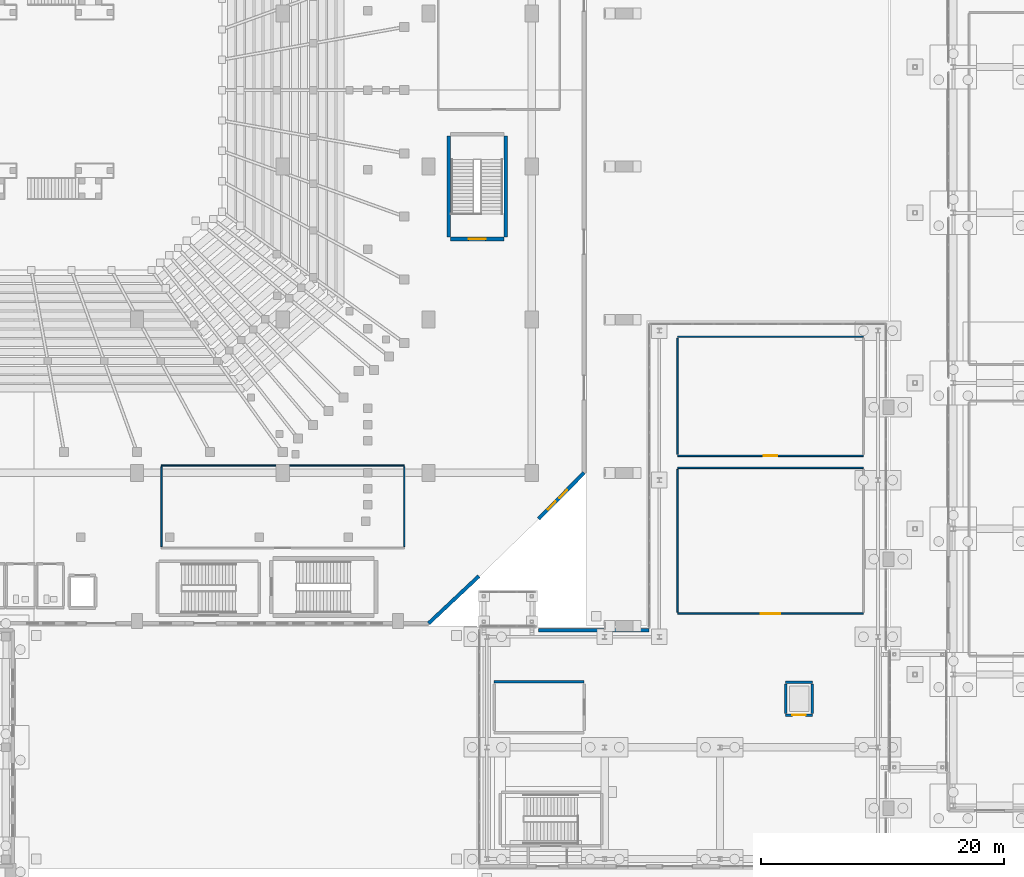
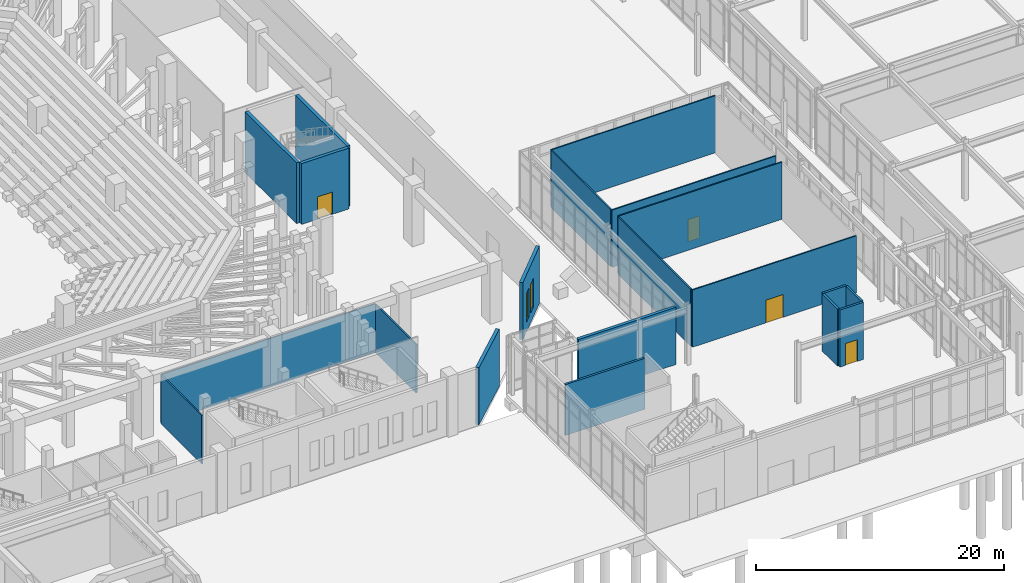
# One storey, part 109 of 143: 20 walls, 4 doors, 2 windows, 6 openings.
"""IFC4 building model written with IfcOpenShell, lengths in metres."""

import ifcopenshell
import ifcopenshell.guid

model = None  # the IFC model being written
_history = None  # IfcOwnerHistory: only IFC2X3 demands one
_inside = {}  # id of a spatial element -> (the spatial element, [elements in it])
_under = {}  # id of a project, library or spatial element -> (it, [spatial elements below it])
_declared = {}  # id of a project -> (the project, [libraries it declares])
_typed = {}  # id of a type object -> (the type object, [elements of that type])
_made_of = {}  # id of a material, layer set ... -> (it, [elements and type objects made of it])


def new_model(schema):
    """Start an empty IFC model of exactly this schema.

    Asked for "IFC4X3", IfcOpenShell would pick the latest addendum, in which some entities
    have other attributes; the version numbers below select the first issue.
    IFC2X3 requires an IfcOwnerHistory on every rooted entity: one is made here for all.
    """
    global model, _history
    if schema == "IFC4X3":
        model = ifcopenshell.file(schema_version=(4, 3, 0, 0))
    else:
        model = ifcopenshell.file(schema=schema)
    _inside.clear()
    _under.clear()
    _declared.clear()
    _typed.clear()
    _made_of.clear()
    _history = None
    if model.schema == "IFC2X3":
        org = make("IfcOrganization", Name="unknown")
        user = make(
            "IfcPersonAndOrganization",
            ThePerson=make("IfcPerson", FamilyName="unknown"),
            TheOrganization=org,
        )
        app = make(
            "IfcApplication",
            ApplicationDeveloper=org,
            Version="unknown",
            ApplicationFullName="unknown",
            ApplicationIdentifier="unknown",
        )
        _history = make(
            "IfcOwnerHistory",
            OwningUser=user,
            OwningApplication=app,
            ChangeAction="ADDED",
            CreationDate=0,
        )
    return model


def make(cls, **values):
    """One entity of the class cls with the attributes given. An attribute that is None is left unset."""
    return model.create_entity(
        cls, **{name: value for name, value in values.items() if value is not None}
    )


def rooted(cls, **values):
    """An entity with a GlobalId (a new one), such as an element, a storey or a relation."""
    return make(cls, GlobalId=ifcopenshell.guid.new(), OwnerHistory=_history, **values)


def si_unit(unit_type, name, prefix=None):
    """IfcSIUnit, for example si_unit("LENGTHUNIT", "METRE", prefix="MILLI")."""
    return make("IfcSIUnit", UnitType=unit_type, Prefix=prefix, Name=name)


def derived_unit(unit_type, elements):
    """IfcDerivedUnit: a product of units, each with its exponent."""
    return make(
        "IfcDerivedUnit",
        Elements=[
            make("IfcDerivedUnitElement", Unit=unit, Exponent=power)
            for unit, power in elements
        ],
        UnitType=unit_type,
    )


def assignment(units):
    """IfcUnitAssignment: the units of a project."""
    return None if units is None else make("IfcUnitAssignment", Units=units)


def point(xyz):
    """IfcCartesianPoint."""
    return None if xyz is None else make("IfcCartesianPoint", Coordinates=xyz)


def direction(xyz):
    """IfcDirection."""
    return None if xyz is None else make("IfcDirection", DirectionRatios=xyz)


def frame(location, z_axis=None, x_axis=None):
    """IfcAxis2Placement3D, a coordinate frame: its origin and axes. An axis left out is left unset."""
    return make(
        "IfcAxis2Placement3D",
        Location=point(location),
        Axis=direction(z_axis),
        RefDirection=direction(x_axis),
    )


def frame_2d(location, x_axis=None):
    """IfcAxis2Placement2D, a coordinate frame in the plane: its origin and x axis."""
    return make(
        "IfcAxis2Placement2D", Location=point(location), RefDirection=direction(x_axis)
    )


def origin():
    """The frame at (0, 0, 0) with its axes left unset."""
    return frame((0.0, 0.0, 0.0))


def place(relative_to, where):
    """IfcLocalPlacement: puts the frame where relative to a parent placement (None: the world)."""
    return make(
        "IfcLocalPlacement", PlacementRelTo=relative_to, RelativePlacement=where
    )


def context(
    kind, dimensions, precision=None, world=None, true_north=None, identifier=None
):
    """IfcGeometricRepresentationContext, for example the 3D "Model" context."""
    return make(
        "IfcGeometricRepresentationContext",
        ContextIdentifier=identifier,
        ContextType=kind,
        CoordinateSpaceDimension=dimensions,
        Precision=precision,
        WorldCoordinateSystem=world,
        TrueNorth=true_north,
    )


def subcontext(parent, identifier, kind, view, scale=None):
    """IfcGeometricRepresentationSubContext, for example "Body" below "Model"."""
    return make(
        "IfcGeometricRepresentationSubContext",
        ContextIdentifier=identifier,
        ContextType=kind,
        ParentContext=parent,
        TargetScale=scale,
        TargetView=view,
    )


def project(units=None, contexts=None):
    """IfcProject with its units and contexts."""
    return rooted(
        "IfcProject",
        Name="project",
        RepresentationContexts=contexts,
        UnitsInContext=assignment(units),
    )


def spatial(cls, under=None, at=None, **own):
    """A site, building, storey or space (cls), placed at a placement, below another one or the project."""
    s = rooted(cls, ObjectPlacement=at, **own)
    if under is not None:
        _under.setdefault(under.id(), (under, []))[1].append(s)
    return s


def profile(cls, at=None, kind="AREA", **sizes):
    """A parametric profile (cls). Its sizes go by their IFC names, for example OverallWidth=200.0."""
    return make(cls, ProfileType=kind, Position=at, **sizes)


def rectangle(**sizes):
    """IfcRectangleProfileDef."""
    return profile("IfcRectangleProfileDef", **sizes)


def extrude(swept, where, along, depth):
    """IfcExtrudedAreaSolid: the profile swept, set in the frame where, extruded along a direction by depth."""
    return make(
        "IfcExtrudedAreaSolid",
        SweptArea=swept,
        Position=where,
        ExtrudedDirection=direction(along),
        Depth=depth,
    )


def shape(context_of_items, identifier, shape_type, items):
    """IfcShapeRepresentation: the items that make up one representation, for example the "Body"."""
    return make(
        "IfcShapeRepresentation",
        ContextOfItems=context_of_items,
        RepresentationIdentifier=identifier,
        RepresentationType=shape_type,
        Items=items,
    )


def material(Name=None, Category=None):
    """IfcMaterial."""
    return make("IfcMaterial", Name=Name, Category=Category)


def layer(
    of_material, thickness, ventilated=None, Name=None, Category=None, Priority=None
):
    """IfcMaterialLayer: one layer of a wall or slab, of a material (None: an air gap)."""
    return make(
        "IfcMaterialLayer",
        Material=of_material,
        LayerThickness=thickness,
        IsVentilated=ventilated,
        Name=Name,
        Category=Category,
        Priority=Priority,
    )


def layer_set(layers, Name=None):
    """IfcMaterialLayerSet."""
    return make("IfcMaterialLayerSet", MaterialLayers=layers, LayerSetName=Name)


def made_of(thing, what):
    """Note that an element or type object is made of a material, layer set ...; save() writes the relation."""
    if what is not None:
        _made_of.setdefault(what.id(), (what, []))[1].append(thing)
    return thing


def type_object(cls, material=None, **own):
    """A type object (cls), such as IfcWallType, which elements share."""
    return made_of(rooted(cls, **own), material)


def element(
    cls,
    number,
    at=None,
    inside=None,
    cuts=None,
    type_object=None,
    material=None,
    context=None,
    identifier="Body",
    shape_type=None,
    held_by="IfcProductDefinitionShape",
    body=None,
    shapes=None,
    **own,
):
    """One element of the class cls, such as IfcWall. Its Tag is "e" and its number.

    at: its placement. inside: the storey or other place that contains it. cuts: it is an
    opening in that element (IfcRelVoidsElement). A single representation is given by context,
    identifier, shape_type and body (its items); several are given by shapes. held_by: the class
    of the entity that holds the representations. save() writes the other relations.
    """
    e = rooted(cls, Tag="e%d" % number, ObjectPlacement=at, **own)
    if body is not None:
        shapes = [shape(context, identifier, shape_type, body)]
    if shapes is not None:
        e.Representation = make(held_by, Representations=shapes)
    if inside is not None:
        _inside.setdefault(inside.id(), (inside, []))[1].append(e)
    if cuts is not None:
        rooted(
            "IfcRelVoidsElement", RelatingBuildingElement=cuts, RelatedOpeningElement=e
        )
    if type_object is not None:
        _typed.setdefault(type_object.id(), (type_object, []))[1].append(e)
    return made_of(e, material)


def fill(opening, filler):
    """IfcRelFillsElement: the door or window that sits in an opening."""
    return rooted(
        "IfcRelFillsElement",
        RelatingOpeningElement=opening,
        RelatedBuildingElement=filler,
    )


def aggregate(whole, parts):
    """IfcRelAggregates: a whole, such as a stair, and the parts it consists of."""
    return rooted("IfcRelAggregates", RelatingObject=whole, RelatedObjects=parts)


def save(model, path):
    """Write the relations noted so far, then the file.

    IfcRelAggregates (storeys below a building ...), IfcRelContainedInSpatialStructure (elements
    in a storey), IfcRelDefinesByType, IfcRelAssociatesMaterial and IfcRelDeclares: one each for
    every whole, place, type object, material and project.
    """
    for whole, parts in _under.values():
        aggregate(whole, parts)
    for where, things in _inside.values():
        rooted(
            "IfcRelContainedInSpatialStructure",
            RelatedElements=things,
            RelatingStructure=where,
        )
    for kind, things in _typed.values():
        rooted("IfcRelDefinesByType", RelatedObjects=things, RelatingType=kind)
    for what, things in _made_of.values():
        rooted("IfcRelAssociatesMaterial", RelatedObjects=things, RelatingMaterial=what)
    for by, libraries in _declared.values():
        rooted("IfcRelDeclares", RelatingContext=by, RelatedDefinitions=libraries)
    model.write(path)


model = new_model("IFC4")

# Units and contexts
model_context = context("Model", 3, precision=1e-05, world=origin(), true_north=direction((0.0, 1.0)))
body_context = subcontext(model_context, "Body", "Model", "MODEL_VIEW")
ifc_project = project(units=[si_unit("LENGTHUNIT", "METRE"), si_unit("AREAUNIT", "SQUARE_METRE"), si_unit("VOLUMEUNIT", "CUBIC_METRE"), si_unit("PLANEANGLEUNIT", "RADIAN"), si_unit("MASSUNIT", "GRAM", prefix="KILO"), derived_unit("THERMALTRANSMITTANCEUNIT", [(si_unit("MASSUNIT", "GRAM", prefix="KILO"), 1), (si_unit("TIMEUNIT", "SECOND"), -3), (si_unit("THERMODYNAMICTEMPERATUREUNIT", "KELVIN"), -1)])], contexts=[model_context])

# Site, building, storey
site_placement = place(None, origin())
site = spatial("IfcSite", under=ifc_project, at=site_placement, CompositionType="ELEMENT")
building_placement = place(site_placement, origin())
building = spatial("IfcBuilding", under=site, at=building_placement, Name="Valcora Ridge Arena", CompositionType="ELEMENT")
storey_placement = place(building_placement, origin())
storey = spatial("IfcBuildingStorey", under=building, at=storey_placement, Name="L00", CompositionType="ELEMENT", Elevation=0.0)

# Walls
ifc_material_1 = material(Name="Bush-hammered Andean travertine on concrete backup C40/50", Category="masonry")
ifc_layer_1 = layer(ifc_material_1, 0.280029296875, Name="Bush-hammered Andean travertine on concrete backup C40/50")
ifc_layer_set_1 = layer_set([ifc_layer_1], Name="Bush-hammered Andean travertine on concrete backup C40/50")
wall_type_1 = type_object("IfcWallType", Name="TY-WALL-EW-TRV-28-56", PredefinedType="STANDARD", material=ifc_layer_set_1)
wall_1_placement = place(storey_placement, frame((103.050048828125, 19.64990234375, 0.0), z_axis=(0.0, 0.0, 1.0), x_axis=(1.0, 0.0, 0.0)))
element("IfcWall", 1, at=wall_1_placement, inside=storey, type_object=wall_type_1, Name="EW-TRV-28-56 WAL-EW-0004", PredefinedType="STANDARD", context=body_context, shape_type="SweptSolid", body=[
    extrude(rectangle(XDim=9.099853515625, YDim=0.280029296875, at=frame_2d((4.5498046875, 0.0))), origin(), (0.0, 0.0, 1.0), 5.639892578125),
])
ifc_layer_2 = layer(ifc_material_1, 0.300048828125, Name="Bush-hammered Andean travertine on concrete backup C40/50")
ifc_layer_set_2 = layer_set([ifc_layer_2], Name="Bush-hammered Andean travertine on concrete backup C40/50")
wall_type_2 = type_object("IfcWallType", Name="TY-WALL-EW-TRV-30-56", PredefinedType="STANDARD", material=ifc_layer_set_2)
wall_2_placement = place(storey_placement, frame((94.0, 20.199951171875, 0.0), z_axis=(0.0, 0.0, 1.0), x_axis=(0.728694413922, 0.684838996494, 0.0)))
element("IfcWall", 2, at=wall_2_placement, inside=storey, type_object=wall_type_2, Name="EW-TRV-30-56 WAL-EW-0034", PredefinedType="STANDARD", context=body_context, shape_type="SweptSolid", body=[
    extrude(rectangle(XDim=5.695068359375, YDim=0.300048828125, at=frame_2d((2.84765625, 0.0))), origin(), (0.0, 0.0, 1.0), 5.639892578125),
])

# Wall, openings, windows
wall_3_placement = place(storey_placement, frame((103.050048828125, 28.800048828125, 0.0), z_axis=(0.0, 0.0, 1.0), x_axis=(0.702403979413, 0.711778511691, 0.0)))
wall_3 = element("IfcWall", 3, at=wall_3_placement, inside=storey, type_object=wall_type_2, Name="EW-TRV-30-56 WAL-EW-0035", PredefinedType="STANDARD", context=body_context, shape_type="SweptSolid", body=[
    extrude(rectangle(XDim=5.3388671875, YDim=0.300048828125, at=frame_2d((2.66943359375, 0.0))), origin(), (0.0, 0.0, 1.0), 5.639892578125),
])
opening_1_placement = place(wall_3_placement, frame((1.10009765625, 0.0, 0.949951171875)))
opening_1 = element("IfcOpeningElement", 4, at=opening_1_placement, cuts=wall_3, Name="Opening W-GLAN-90X285", PredefinedType="OPENING", context=body_context, shape_type="SweptSolid", body=[
    extrude(rectangle(XDim=0.89990234375, YDim=2.85009765625, at=frame_2d((0.449951171875, 1.425048828125))), frame((0.0, 0.159912109375, 0.0), z_axis=(0.0, -1.0, 0.0), x_axis=(1.0, 0.0, 0.0)), (0.0, 0.0, 1.0), 0.320068359375),
])
opening_2_placement = place(wall_3_placement, frame((2.449951171875, 0.0, 0.949951171875)))
opening_2 = element("IfcOpeningElement", 5, at=opening_2_placement, cuts=wall_3, Name="Opening W-GLAN-90X285", PredefinedType="OPENING", context=body_context, shape_type="SweptSolid", body=[
    extrude(rectangle(XDim=0.89990234375, YDim=2.85009765625, at=frame_2d((0.449951171875, 1.425048828125))), frame((0.0, 0.159912109375, 0.0), z_axis=(0.0, -1.0, 0.0), x_axis=(1.0, 0.0, 0.0)), (0.0, 0.0, 1.0), 0.320068359375),
])
ifc_material_2 = material(Name="Low-iron solar-control double glazing SHGC 0.28", Category="glass")
window_type = type_object("IfcWindowType", Name="TY-WINDOW-W-GLAN-90X285", PartitioningType="DOUBLE_PANEL_VERTICAL", PredefinedType="WINDOW", material=ifc_material_2)
window_1_placement = place(opening_1_placement, origin())
window_1 = element("IfcWindow", 6, at=window_1_placement, inside=storey, type_object=window_type, Name="W-GLAN-90X285 WIN-EX-0071", OverallHeight=2.85009765625, OverallWidth=0.89990234375, PartitioningType="DOUBLE_PANEL_VERTICAL", PredefinedType="WINDOW", context=body_context, shape_type="SweptSolid", body=[
    extrude(rectangle(XDim=0.89990234375, YDim=2.85009765625, at=frame_2d((0.449951171875, 1.425048828125))), frame((0.0, 0.030029296875, 0.0), z_axis=(0.0, -1.0, 0.0), x_axis=(1.0, 0.0, 0.0)), (0.0, 0.0, 1.0), 0.06005859375),
])
fill(opening_1, window_1)
window_2_placement = place(opening_2_placement, origin())
window_2 = element("IfcWindow", 7, at=window_2_placement, inside=storey, type_object=window_type, Name="W-GLAN-90X285 WIN-EX-0072", OverallHeight=2.85009765625, OverallWidth=0.89990234375, PartitioningType="DOUBLE_PANEL_VERTICAL", PredefinedType="WINDOW", context=body_context, shape_type="SweptSolid", body=[
    extrude(rectangle(XDim=0.89990234375, YDim=2.85009765625, at=frame_2d((0.449951171875, 1.425048828125))), frame((0.0, 0.030029296875, 0.0), z_axis=(0.0, -1.0, 0.0), x_axis=(1.0, 0.0, 0.0)), (0.0, 0.0, 1.0), 0.06005859375),
])
fill(opening_2, window_2)

# Walls
ifc_material_3 = material(Name="Fire-resisting reinforced concrete enclosure C40/50 200 mm", Category="concrete")
ifc_layer_3 = layer(ifc_material_3, 0.199951171875, Name="Fire-resisting reinforced concrete enclosure C40/50 200 mm")
ifc_layer_set_3 = layer_set([ifc_layer_3], Name="Fire-resisting reinforced concrete enclosure C40/50 200 mm")
wall_type_3 = type_object("IfcWallType", Name="TY-WALL-IW-FIRE-200", PredefinedType="STANDARD", material=ifc_layer_set_3)
wall_4_placement = place(storey_placement, frame((99.39990234375, 15.39990234375, 0.0), z_axis=(0.0, 0.0, 1.0), x_axis=(1.0, 0.0, 0.0)))
element("IfcWall", 8, at=wall_4_placement, inside=storey, type_object=wall_type_3, Name="IW-FIRE-200 WAL-IN-0044", PredefinedType="STANDARD", context=body_context, shape_type="SweptSolid", body=[
    extrude(rectangle(XDim=7.400146484375, YDim=0.199951171875, at=frame_2d((3.7001953125, 0.0))), origin(), (0.0, 0.0, 1.0), 5.028076171875),
])
ifc_material_4 = material(Name="Acoustic metal-stud gypsum partition 120 mm")
ifc_layer_4 = layer(ifc_material_4, 0.1201171875, Name="Acoustic metal-stud gypsum partition 120 mm")
ifc_layer_set_4 = layer_set([ifc_layer_4], Name="Acoustic metal-stud gypsum partition 120 mm")
wall_type_4 = type_object("IfcWallType", Name="TY-WALL-IW-PART-120", PredefinedType="PARTITIONING", material=ifc_layer_set_4)
wall_5_placement = place(storey_placement, frame((72.0, 33.199951171875, 0.0), z_axis=(0.0, 0.0, 1.0), x_axis=(1.0, 0.0, 0.0)))
element("IfcWall", 9, at=wall_5_placement, inside=storey, type_object=wall_type_4, Name="IW-PART-120 WAL-IN-0228", PredefinedType="PARTITIONING", context=body_context, shape_type="SweptSolid", body=[
    extrude(rectangle(XDim=20.0, YDim=0.1201171875, at=frame_2d((10.0, 0.0))), origin(), (0.0, 0.0, 1.0), 4.7900390625),
])
for number, where, z_axis, x_axis, name in (
    (10, (72.0, 26.52001953125, 0.0), (0.0, 0.0, 1.0), (0.0, 1.0, 0.0), "IW-PART-120 WAL-IN-0229"),
    (11, (92.0, 26.52001953125, 0.0), (0.0, 0.0, 1.0), (0.0, 1.0, 0.0), "IW-PART-120 WAL-IN-0230"),
):
    element("IfcWall", number, at=place(storey_placement, frame(where, z_axis=z_axis, x_axis=x_axis)), inside=storey, type_object=wall_type_4, Name=name, PredefinedType="PARTITIONING", context=body_context, shape_type="SweptSolid", body=[
        extrude(rectangle(XDim=6.56005859375, YDim=0.1201171875, at=frame_2d((3.280029296875, 0.0))), origin(), (0.0, 0.0, 1.0), 4.7900390625),
    ])

# Wall, opening, door
wall_6_placement = place(storey_placement, frame((114.5, 21.0, 0.0), z_axis=(0.0, 0.0, 1.0), x_axis=(1.0, 0.0, 0.0)))
wall_6 = element("IfcWall", 12, at=wall_6_placement, inside=storey, type_object=wall_type_4, Name="IW-PART-120 WAL-IN-0235", PredefinedType="PARTITIONING", context=body_context, shape_type="SweptSolid", body=[
    extrude(rectangle(XDim=15.300048828125, YDim=0.1201171875, at=frame_2d((7.64990234375, 0.0))), origin(), (0.0, 0.0, 1.0), 5.639892578125),
])
opening_3_placement = place(wall_6_placement, frame((6.85009765625, 0.0, 0.0)))
opening_3 = element("IfcOpeningElement", 13, at=opening_3_placement, cuts=wall_6, Name="Opening D-PUB-1600", PredefinedType="OPENING", context=body_context, shape_type="SweptSolid", body=[
    extrude(rectangle(XDim=1.60009765625, YDim=2.25, at=frame_2d((0.800048828125, 1.125))), frame((0.0, 0.070068359375, 0.0), z_axis=(0.0, -1.0, 0.0), x_axis=(1.0, 0.0, 0.0)), (0.0, 0.0, 1.0), 0.14013671875),
])
ifc_material_5 = material(Name="Solid-core acoustic timber veneer door leaf", Category="wood")
door_type_1 = type_object("IfcDoorType", Name="TY-DOOR-D-PUB-1600", OperationType="NOTDEFINED", PredefinedType="DOOR", material=ifc_material_5)
door_1_placement = place(opening_3_placement, origin())
door_1 = element("IfcDoor", 14, at=door_1_placement, inside=storey, type_object=door_type_1, Name="D-PUB-1600 DOR-IN-0063", OperationType="DOUBLE_DOOR_SINGLE_SWING", OverallHeight=2.25, OverallWidth=1.60009765625, PredefinedType="DOOR", context=body_context, shape_type="SweptSolid", body=[
    extrude(rectangle(XDim=1.60009765625, YDim=2.25, at=frame_2d((0.800048828125, 1.125))), frame((0.0, 0.02490234375, 0.0), z_axis=(0.0, -1.0, 0.0), x_axis=(1.0, 0.0, 0.0)), (0.0, 0.0, 1.0), 0.050048828125),
])
fill(opening_3, door_1)

# Walls
wall_7_placement = place(storey_placement, frame((114.5, 33.0, 0.0), z_axis=(0.0, 0.0, 1.0), x_axis=(1.0, 0.0, 0.0)))
element("IfcWall", 15, at=wall_7_placement, inside=storey, type_object=wall_type_4, Name="IW-PART-120 WAL-IN-0236", PredefinedType="PARTITIONING", context=body_context, shape_type="SweptSolid", body=[
    extrude(rectangle(XDim=15.300048828125, YDim=0.1201171875, at=frame_2d((7.64990234375, 0.0))), origin(), (0.0, 0.0, 1.0), 5.639892578125),
])
wall_8_placement = place(storey_placement, frame((114.5, 21.1201171875, 0.0), z_axis=(0.0, 0.0, 1.0), x_axis=(0.0, 1.0, 0.0)))
element("IfcWall", 16, at=wall_8_placement, inside=storey, type_object=wall_type_4, Name="IW-PART-120 WAL-IN-0237", PredefinedType="PARTITIONING", context=body_context, shape_type="SweptSolid", body=[
    extrude(rectangle(XDim=11.759765625, YDim=0.1201171875, at=frame_2d((5.8798828125, 0.0))), origin(), (0.0, 0.0, 1.0), 5.639892578125),
])

# Wall, opening, door
wall_9_placement = place(storey_placement, frame((114.5, 34.0, 0.0), z_axis=(0.0, 0.0, 1.0), x_axis=(1.0, 0.0, 0.0)))
wall_9 = element("IfcWall", 17, at=wall_9_placement, inside=storey, type_object=wall_type_4, Name="IW-PART-120 WAL-IN-0239", PredefinedType="PARTITIONING", context=body_context, shape_type="SweptSolid", body=[
    extrude(rectangle(XDim=15.300048828125, YDim=0.1201171875, at=frame_2d((7.64990234375, 0.0))), origin(), (0.0, 0.0, 1.0), 5.639892578125),
])
opening_4_placement = place(wall_9_placement, frame((7.10009765625, 0.0, 0.0)))
opening_4 = element("IfcOpeningElement", 18, at=opening_4_placement, cuts=wall_9, Name="Opening D-INT-1100", PredefinedType="OPENING", context=body_context, shape_type="SweptSolid", body=[
    extrude(rectangle(XDim=1.10009765625, YDim=2.199951171875, at=frame_2d((0.550048828125, 1.10009765625))), frame((0.0, 0.070068359375, 0.0), z_axis=(0.0, -1.0, 0.0), x_axis=(1.0, 0.0, 0.0)), (0.0, 0.0, 1.0), 0.14013671875),
])
door_type_2 = type_object("IfcDoorType", Name="TY-DOOR-D-INT-1100", OperationType="NOTDEFINED", PredefinedType="DOOR", material=ifc_material_5)
door_2_placement = place(opening_4_placement, origin())
door_2 = element("IfcDoor", 19, at=door_2_placement, inside=storey, type_object=door_type_2, Name="D-INT-1100 DOR-IN-0064", OperationType="SINGLE_SWING_RIGHT", OverallHeight=2.199951171875, OverallWidth=1.10009765625, PredefinedType="DOOR", context=body_context, shape_type="SweptSolid", body=[
    extrude(rectangle(XDim=1.10009765625, YDim=2.199951171875, at=frame_2d((0.550048828125, 1.10009765625))), frame((0.0, 0.02490234375, 0.0), z_axis=(0.0, -1.0, 0.0), x_axis=(1.0, 0.0, 0.0)), (0.0, 0.0, 1.0), 0.050048828125),
])
fill(opening_4, door_2)

# Walls
wall_10_placement = place(storey_placement, frame((114.5, 43.800048828125, 0.0), z_axis=(0.0, 0.0, 1.0), x_axis=(1.0, 0.0, 0.0)))
element("IfcWall", 20, at=wall_10_placement, inside=storey, type_object=wall_type_4, Name="IW-PART-120 WAL-IN-0240", PredefinedType="PARTITIONING", context=body_context, shape_type="SweptSolid", body=[
    extrude(rectangle(XDim=15.300048828125, YDim=0.1201171875, at=frame_2d((7.64990234375, 0.0))), origin(), (0.0, 0.0, 1.0), 5.639892578125),
])
wall_11_placement = place(storey_placement, frame((114.5, 34.1201171875, 0.0), z_axis=(0.0, 0.0, 1.0), x_axis=(0.0, 1.0, 0.0)))
element("IfcWall", 21, at=wall_11_placement, inside=storey, type_object=wall_type_4, Name="IW-PART-120 WAL-IN-0241", PredefinedType="PARTITIONING", context=body_context, shape_type="SweptSolid", body=[
    extrude(rectangle(XDim=9.559814453125, YDim=0.1201171875, at=frame_2d((4.77978515625, 0.0))), origin(), (0.0, 0.0, 1.0), 5.639892578125),
])

# Wall, opening, door
ifc_material_6 = material(Name="Concrete C40/50", Category="concrete")
ifc_layer_5 = layer(ifc_material_6, 0.199951171875, Name="Concrete C40/50")
ifc_layer_set_5 = layer_set([ifc_layer_5], Name="Concrete C40/50")
wall_type_5 = type_object("IfcWallType", Name="TY-WALL-IW-SHF-200", PredefinedType="STANDARD", material=ifc_layer_set_5)
wall_12_placement = place(storey_placement, frame((123.39990234375, 12.64990234375, 0.0), z_axis=(0.0, 0.0, 1.0), x_axis=(1.0, 0.0, 0.0)))
wall_12 = element("IfcWall", 22, at=wall_12_placement, inside=storey, type_object=wall_type_5, Name="IW-SHF-200 WAL-SH-0153", PredefinedType="STANDARD", context=body_context, shape_type="SweptSolid", body=[
    extrude(rectangle(XDim=2.2001953125, YDim=0.199951171875, at=frame_2d((1.10009765625, 0.0))), origin(), (0.0, 0.0, 1.0), 5.639892578125),
])
opening_5_placement = place(wall_12_placement, frame((0.550048828125, 0.0, 0.0)))
opening_5 = element("IfcOpeningElement", 23, at=opening_5_placement, cuts=wall_12, Name="Opening LD-PAX", PredefinedType="OPENING", context=body_context, shape_type="SweptSolid", body=[
    extrude(rectangle(XDim=1.10009765625, YDim=2.14990234375, at=frame_2d((0.550048828125, 1.074951171875))), frame((0.0, 0.10986328125, 0.0), z_axis=(0.0, -1.0, 0.0), x_axis=(1.0, 0.0, 0.0)), (0.0, 0.0, 1.0), 0.219970703125),
])
ifc_material_7 = material(Name="Insulated fire-rated hollow metal steel", Category="steel")
door_type_3 = type_object("IfcDoorType", Name="TY-DOOR-LD-PAX", OperationType="NOTDEFINED", PredefinedType="DOOR", material=ifc_material_7)
door_3_placement = place(opening_5_placement, origin())
door_3 = element("IfcDoor", 24, at=door_3_placement, inside=storey, type_object=door_type_3, Name="PL5 Landing Door L00", OperationType="SLIDING_TO_LEFT", OverallHeight=2.14990234375, OverallWidth=1.10009765625, PredefinedType="DOOR", context=body_context, shape_type="SweptSolid", body=[
    extrude(rectangle(XDim=1.10009765625, YDim=2.14990234375, at=frame_2d((0.550048828125, 1.074951171875))), frame((0.0, 0.02490234375, 0.0), z_axis=(0.0, -1.0, 0.0), x_axis=(1.0, 0.0, 0.0)), (0.0, 0.0, 1.0), 0.050048828125),
])
fill(opening_5, door_3)

# Walls
wall_13_placement = place(storey_placement, frame((123.39990234375, 15.35009765625, 0.0), z_axis=(0.0, 0.0, 1.0), x_axis=(1.0, 0.0, 0.0)))
element("IfcWall", 25, at=wall_13_placement, inside=storey, type_object=wall_type_5, Name="IW-SHF-200 WAL-SH-0154", PredefinedType="STANDARD", context=body_context, shape_type="SweptSolid", body=[
    extrude(rectangle(XDim=2.2001953125, YDim=0.199951171875, at=frame_2d((1.10009765625, 0.0))), origin(), (0.0, 0.0, 1.0), 5.639892578125),
])
for number, where, z_axis, x_axis, name in (
    (26, (123.39990234375, 12.77001953125, 0.0), (0.0, 0.0, 1.0), (0.0, 1.0, 0.0), "IW-SHF-200 WAL-SH-0155"),
    (27, (125.60009765625, 12.77001953125, 0.0), (0.0, 0.0, 1.0), (0.0, 1.0, 0.0), "IW-SHF-200 WAL-SH-0156"),
):
    element("IfcWall", number, at=place(storey_placement, frame(where, z_axis=z_axis, x_axis=x_axis)), inside=storey, type_object=wall_type_5, Name=name, PredefinedType="STANDARD", context=body_context, shape_type="SweptSolid", body=[
        extrude(rectangle(XDim=2.4599609375, YDim=0.199951171875, at=frame_2d((1.22998046875, 0.0))), origin(), (0.0, 0.0, 1.0), 5.639892578125),
    ])
ifc_material_8 = material(Name="Concrete C45/55", Category="concrete")
ifc_layer_6 = layer(ifc_material_8, 0.300048828125, Name="Concrete C45/55")
ifc_layer_set_6 = layer_set([ifc_layer_6], Name="Concrete C45/55")
wall_type_6 = type_object("IfcWallType", Name="TY-WALL-SW-C300-L", PredefinedType="SHEAR", material=ifc_layer_set_6)
for number, where, z_axis, x_axis, name in (
    (28, (95.64990234375, 52.0, 0.0), (0.0, 0.0, 1.0), (0.0, 1.0, 0.0), "SW-C300-L WAL-CR-0139"),
    (29, (100.35009765625, 52.0, 0.0), (0.0, 0.0, 1.0), (0.0, 1.0, 0.0), "SW-C300-L WAL-CR-0140"),
):
    element("IfcWall", number, at=place(storey_placement, frame(where, z_axis=z_axis, x_axis=x_axis)), inside=storey, type_object=wall_type_6, Name=name, PredefinedType="SHEAR", context=body_context, shape_type="SweptSolid", body=[
        extrude(rectangle(XDim=8.320068359375, YDim=0.300048828125, at=frame_2d((4.16015625, 0.0))), origin(), (0.0, 0.0, 1.0), 6.0),
    ])

# Wall, opening, door
ifc_layer_7 = layer(ifc_material_8, 0.300048828125, Name="Concrete C45/55")
ifc_layer_set_7 = layer_set([ifc_layer_7], Name="Concrete C45/55")
wall_type_7 = type_object("IfcWallType", Name="TY-WALL-SW-C300-S", PredefinedType="SHEAR", material=ifc_layer_set_7)
wall_14_placement = place(storey_placement, frame((95.800048828125, 51.85009765625, 0.0), z_axis=(0.0, 0.0, 1.0), x_axis=(1.0, 0.0, 0.0)))
wall_14 = element("IfcWall", 30, at=wall_14_placement, inside=storey, type_object=wall_type_7, Name="SW-C300-S WAL-CR-0137", PredefinedType="SHEAR", context=body_context, shape_type="SweptSolid", body=[
    extrude(rectangle(XDim=4.39990234375, YDim=0.300048828125, at=frame_2d((2.199951171875, 0.0))), origin(), (0.0, 0.0, 1.0), 6.0),
])
opening_6_placement = place(wall_14_placement, frame((1.5, 0.0, 0.0)))
opening_6 = element("IfcOpeningElement", 31, at=opening_6_placement, cuts=wall_14, Name="Opening FD-01", PredefinedType="OPENING", context=body_context, shape_type="SweptSolid", body=[
    extrude(rectangle(XDim=1.39990234375, YDim=2.199951171875, at=frame_2d((0.699951171875, 1.10009765625))), frame((0.0, 0.159912109375, 0.0), z_axis=(0.0, -1.0, 0.0), x_axis=(1.0, 0.0, 0.0)), (0.0, 0.0, 1.0), 0.320068359375),
])
ifc_material_9 = material(Name="Insulated fire-rated steel door leaf", Category="steel")
door_type_4 = type_object("IfcDoorType", Name="TY-DOOR-FD-01", OperationType="NOTDEFINED", PredefinedType="DOOR", material=ifc_material_9)
door_4_placement = place(opening_6_placement, origin())
door_4 = element("IfcDoor", 32, at=door_4_placement, inside=storey, type_object=door_type_4, Name="FD-01 DOR-ST-0035", OperationType="DOUBLE_DOOR_SINGLE_SWING", OverallHeight=2.199951171875, OverallWidth=1.39990234375, PredefinedType="DOOR", context=body_context, shape_type="SweptSolid", body=[
    extrude(rectangle(XDim=1.39990234375, YDim=2.199951171875, at=frame_2d((0.699951171875, 1.10009765625))), frame((0.0, 0.02490234375, 0.0), z_axis=(0.0, -1.0, 0.0), x_axis=(1.0, 0.0, 0.0)), (0.0, 0.0, 1.0), 0.050048828125),
])
fill(opening_6, door_4)

save(model, "model.ifc")
